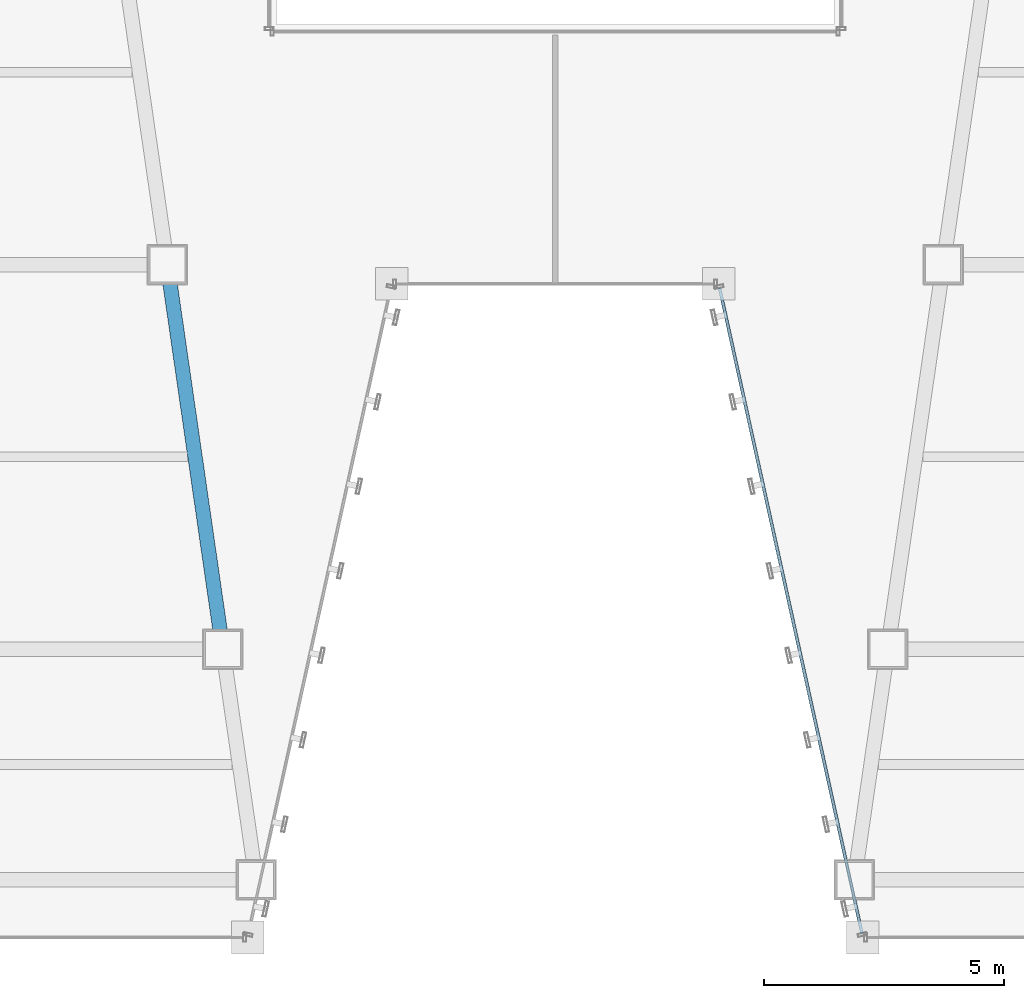
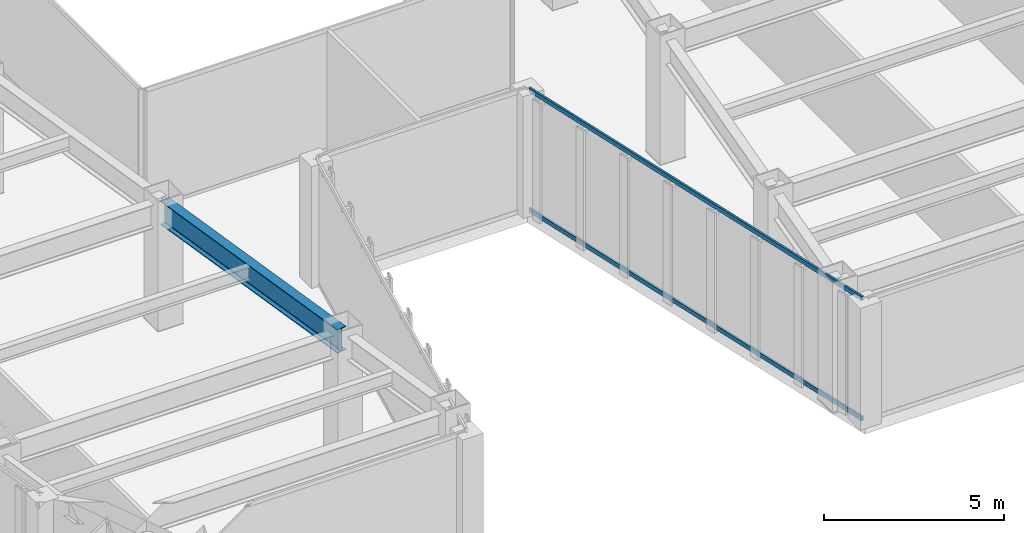
# One storey, part 8 of 49: 2 members, 1 beam, 1 element without a shape of its own.
"""IFC4 building model written with IfcOpenShell, lengths in metres."""

from ifc_helpers import new_model, si_unit, direction, frame, origin, origin_2d, place, context, subcontext, project, spatial, hollow_rectangle, i_section, extrude, material, material_profile, profile_set, type_object, element, aggregate, save


model = new_model("IFC4")

# Units and contexts
model_context = context("Model", 3, precision=1e-05, world=origin(), true_north=direction((0.0, 1.0)))
body_context = subcontext(model_context, "Body", "Model", "MODEL_VIEW")
ifc_project = project(units=[si_unit("LENGTHUNIT", "METRE"), si_unit("AREAUNIT", "SQUARE_METRE"), si_unit("VOLUMEUNIT", "CUBIC_METRE"), si_unit("PLANEANGLEUNIT", "RADIAN"), si_unit("MASSUNIT", "GRAM", prefix="KILO")], contexts=[model_context])

# Site, building, storey
site_placement = place(None, origin())
site = spatial("IfcSite", under=ifc_project, at=site_placement, CompositionType="ELEMENT")
building_placement = place(site_placement, origin())
building = spatial("IfcBuilding", under=site, at=building_placement, Name="Saevonmaru Cultural Tower", CompositionType="ELEMENT")
storey_placement = place(building_placement, frame((0.0, 0.0, 38.39990234375)))
storey = spatial("IfcBuildingStorey", under=building, at=storey_placement, Name="L07", CompositionType="ELEMENT", Elevation=38.39990234375)

# Beam
ifc_material_1 = material(Name="Steel SM420", Category="steel")
ifc_material_profile_1 = material_profile(ifc_material_1, i_section(OverallWidth=0.300048828125, OverallDepth=0.800048828125, WebThickness=0.013916015625, FlangeThickness=0.02587890625, FilletRadius=0.028076171875, at=origin_2d()), Name="H-800x300x14x26")
ifc_profile_set_1 = profile_set([ifc_material_profile_1], Name="Steel SM420")
beam_type = type_object("IfcBeamType", Name="BM-G-H800", PredefinedType="BEAM", material=ifc_profile_set_1)
beam_placement = place(storey_placement, frame((23.074462890625, 8.059326171875, 3.75), z_axis=(-0.142902032203, 0.989736838353, 0.0), x_axis=(-0.989736838353, -0.142902032203, 0.0)))
element("IfcBeam", 1, at=beam_placement, inside=storey, type_object=beam_type, Name="L07 West Atrium Girder 2", PredefinedType="BEAM", context=body_context, shape_type="SweptSolid", body=[
    extrude(i_section(OverallWidth=0.300048828125, OverallDepth=0.800048828125, WebThickness=0.013916015625, FlangeThickness=0.02587890625, FilletRadius=0.028076171875, at=origin_2d()), origin(), (0.0, 0.0, 1.0), 7.963134765625),
])

# Curtain wall, members
ifc_material_2 = material(Name="Satin Bronze Anodised Aluminium", Category="aluminium")
curtain_wall_type = type_object("IfcCurtainWallType", Name="CW-TYP-A", PredefinedType="NOTDEFINED", material=ifc_material_2)
curtain_wall_placement = place(storey_placement, origin())
curtain_wall = element("IfcCurtainWall", 2, at=curtain_wall_placement, inside=storey, type_object=curtain_wall_type, Name="L07 Unitised Curtain Wall E5", PredefinedType="NOTDEFINED")
ifc_material_profile_2 = material_profile(ifc_material_2, hollow_rectangle(XDim=0.06494140625, YDim=0.14990234375, WallThickness=0.00390625, at=origin_2d()), Name="ALU-TRAN-150x65x4")
ifc_profile_set_2 = profile_set([ifc_material_profile_2], Name="Satin Bronze Anodised Aluminium")
member_type = type_object("IfcMemberType", Name="TR-CW-150x65", PredefinedType="USERDEFINED", material=ifc_profile_set_2)
member_1_placement = place(storey_placement, frame((33.419921875, 15.509765625, 0.03271484375), z_axis=(0.21541214732, -0.976523223885, 0.0), x_axis=(0.976523223885, 0.21541214732, 0.0)))
member_1 = element("IfcMember", 3, at=member_1_placement, type_object=member_type, Name="CW-TW-L07-E5 transom 1.1", ObjectType="TRANSOM", PredefinedType="USERDEFINED", context=body_context, shape_type="SweptSolid", body=[
    extrude(hollow_rectangle(XDim=0.06494140625, YDim=0.14990234375, WallThickness=0.00390625, at=origin_2d()), origin(), (0.0, 0.0, 1.0), 13.741943359375),
])
member_2_placement = place(storey_placement, frame((33.419921875, 15.509765625, 4.11767578125), z_axis=(0.21541214732, -0.976523223885, 0.0), x_axis=(0.976523223885, 0.21541214732, 0.0)))
member_2 = element("IfcMember", 4, at=member_2_placement, type_object=member_type, Name="CW-TW-L07-E5 transom 1.2", ObjectType="TRANSOM", PredefinedType="USERDEFINED", context=body_context, shape_type="SweptSolid", body=[
    extrude(hollow_rectangle(XDim=0.06494140625, YDim=0.14990234375, WallThickness=0.00390625, at=origin_2d()), origin(), (0.0, 0.0, 1.0), 13.741943359375),
])
aggregate(curtain_wall, [member_1, member_2])

save(model, "model.ifc")
